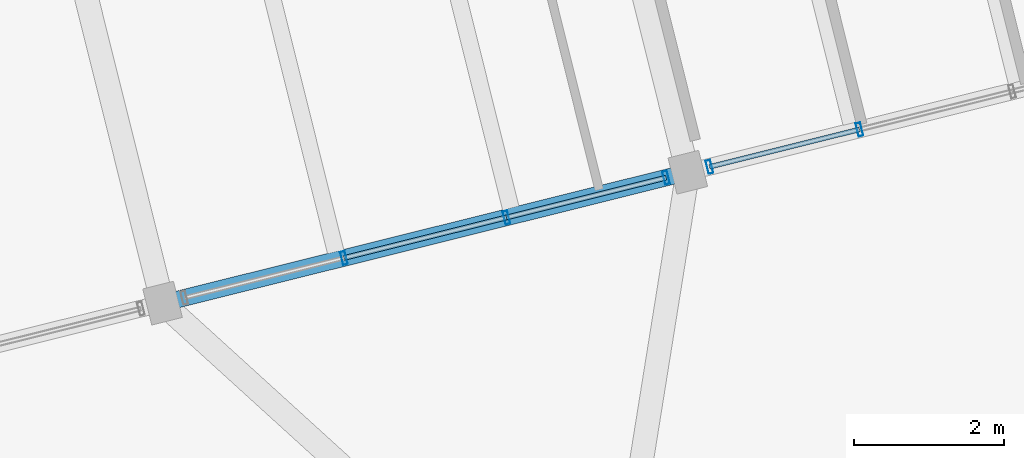
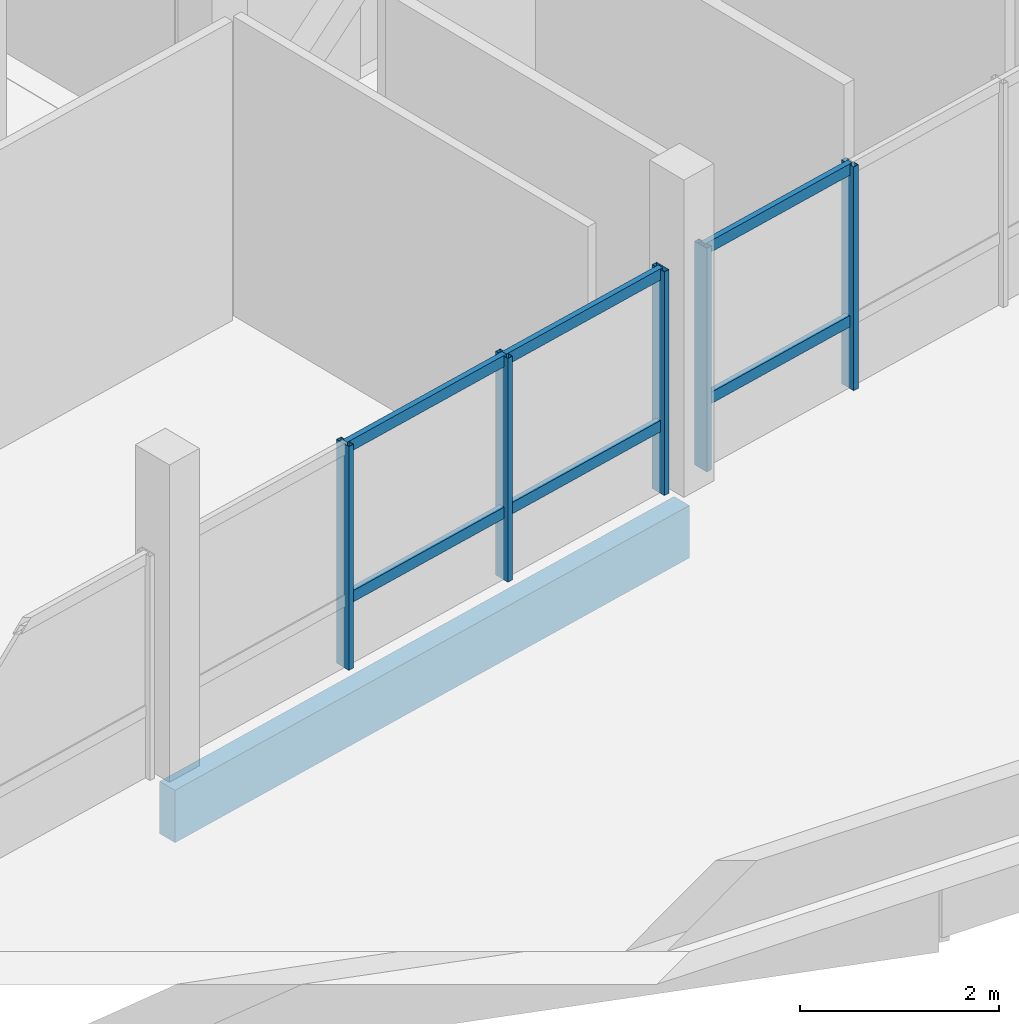
# One storey, part 12 of 37: 11 members, 1 beam, 2 elements without a shape of their own.
"""IFC4 building model written with IfcOpenShell, lengths in metres."""

from ifc_helpers import new_model, si_unit, direction, frame, origin, origin_2d, place, context, subcontext, project, spatial, rectangle, hollow_rectangle, extrude, material, layer, layer_set, material_profile, profile_set, type_object, element, aggregate, save


model = new_model("IFC4")

# Units and contexts
model_context = context("Model", 3, precision=1e-05, world=origin(), true_north=direction((0.0, 1.0)))
body_context = subcontext(model_context, "Body", "Model", "MODEL_VIEW")
ifc_project = project(units=[si_unit("LENGTHUNIT", "METRE"), si_unit("AREAUNIT", "SQUARE_METRE"), si_unit("VOLUMEUNIT", "CUBIC_METRE"), si_unit("PLANEANGLEUNIT", "RADIAN"), si_unit("MASSUNIT", "GRAM", prefix="KILO")], contexts=[model_context])

# Site, building, storey
site_placement = place(None, origin())
site = spatial("IfcSite", under=ifc_project, at=site_placement, CompositionType="ELEMENT")
building_placement = place(site_placement, origin())
building = spatial("IfcBuilding", under=site, at=building_placement, Name="Meriwether Solvik Hall", CompositionType="ELEMENT")
storey_placement = place(building_placement, frame((0.0, 0.0, 26.10009765625)))
storey = spatial("IfcBuildingStorey", under=building, at=storey_placement, Name="L06", CompositionType="ELEMENT", Elevation=26.10009765625)

# Beam
ifc_material_1 = material(Name="Glulam Douglas-Fir 24F-V8 GL28h", Category="wood")
ifc_material_profile_1 = material_profile(ifc_material_1, rectangle(XDim=0.221923828125, YDim=0.64501953125, at=origin_2d()), Name="GLB-222X645")
ifc_profile_set_1 = profile_set([ifc_material_profile_1], Name="Glulam Douglas-Fir 24F-V8 GL28h")
beam_type = type_object("IfcBeamType", Name="BM-GL-222X645", PredefinedType="SPANDREL", material=ifc_profile_set_1)
beam_placement = place(storey_placement, frame((89.946533203125, 46.522216796875, -0.592529296875), z_axis=(0.970291911955, 0.241937193493, 0.0), x_axis=(-0.241937193493, 0.970291911955, 0.0)))
element("IfcBeam", 1, at=beam_placement, inside=storey, type_object=beam_type, Name="Tower Girder TA:T4-T5 (L06)", PredefinedType="SPANDREL", context=body_context, shape_type="SweptSolid", body=[
    extrude(rectangle(XDim=0.221923828125, YDim=0.64501953125, at=origin_2d()), origin(), (0.0, 0.0, 1.0), 7.199951171875),
])

# Curtain wall, members
ifc_material_2 = material(Name="Thermally Broken Anodised Aluminium 6063-T6 and Low-E Glass", Category="aluminium")
ifc_layer_1 = layer(ifc_material_2, 0.179931640625)
ifc_layer_set_1 = layer_set([ifc_layer_1], Name="Thermally Broken Anodised Aluminium 6063-T6 and Low-E Glass")
curtain_wall_type_1 = type_object("IfcCurtainWallType", Name="CW-UNIT-G", PredefinedType="USERDEFINED", material=ifc_layer_set_1)
curtain_wall_1_placement = place(storey_placement, origin())
curtain_wall_1 = element("IfcCurtainWall", 2, at=curtain_wall_1_placement, inside=storey, type_object=curtain_wall_type_1, Name="Curtain Wall E0_B3 (L06)", ObjectType="UNITISED CURTAIN WALL", PredefinedType="USERDEFINED")
ifc_material_3 = material(Name="Anodised Aluminium 6063-T6", Category="aluminium")
ifc_material_profile_2 = material_profile(ifc_material_3, hollow_rectangle(XDim=0.06494140625, YDim=0.179931640625, WallThickness=0.00439453125, at=origin_2d()), Name="CWM-65X180")
ifc_profile_set_2 = profile_set([ifc_material_profile_2], Name="Anodised Aluminium 6063-T6")
member_type_1 = type_object("IfcMemberType", Name="CW-MUL-65X180", PredefinedType="MULLION", material=ifc_profile_set_2)
member_1_placement = place(storey_placement, frame((96.64404296875, 48.192138671875, 0.0), z_axis=(0.0, 0.0, 1.0), x_axis=(-0.970295691079, -0.241922036769, 0.0)))
member_1 = element("IfcMember", 3, at=member_1_placement, type_object=member_type_1, Name="Curtain Wall Mullion 1", PredefinedType="MULLION", context=body_context, shape_type="SweptSolid", body=[
    extrude(hollow_rectangle(XDim=0.06494140625, YDim=0.179931640625, WallThickness=0.00439453125, at=origin_2d()), origin(), (0.0, 0.0, 1.0), 2.75),
])
member_2_placement = place(storey_placement, frame((94.52001953125, 47.66259765625, 0.0), z_axis=(0.0, 0.0, 1.0), x_axis=(-0.970295691079, -0.241922036769, 0.0)))
member_2 = element("IfcMember", 4, at=member_2_placement, type_object=member_type_1, Name="Curtain Wall Mullion 2", PredefinedType="MULLION", context=body_context, shape_type="SweptSolid", body=[
    extrude(hollow_rectangle(XDim=0.06494140625, YDim=0.179931640625, WallThickness=0.00439453125, at=origin_2d()), origin(), (0.0, 0.0, 1.0), 2.75),
])
member_3_placement = place(storey_placement, frame((92.359130859375, 47.123779296875, 0.0), z_axis=(0.0, 0.0, 1.0), x_axis=(-0.970295691079, -0.241922036769, 0.0)))
member_3 = element("IfcMember", 5, at=member_3_placement, type_object=member_type_1, Name="Curtain Wall Mullion 3", PredefinedType="MULLION", context=body_context, shape_type="SweptSolid", body=[
    extrude(hollow_rectangle(XDim=0.06494140625, YDim=0.179931640625, WallThickness=0.00439453125, at=origin_2d()), origin(), (0.0, 0.0, 1.0), 2.75),
])

ifc_material_4 = material(Name="Thermally Broken Anodised Aluminium 6063-T6 and Low-E Glass", Category="aluminium")
ifc_layer_2 = layer(ifc_material_4, 0.179931640625)
ifc_layer_set_2 = layer_set([ifc_layer_2], Name="Thermally Broken Anodised Aluminium 6063-T6 and Low-E Glass")
curtain_wall_type_2 = type_object("IfcCurtainWallType", Name="CW-UNIT-A", PredefinedType="USERDEFINED", material=ifc_layer_set_2)
curtain_wall_2_placement = place(storey_placement, origin())
curtain_wall_2 = element("IfcCurtainWall", 6, at=curtain_wall_2_placement, inside=storey, type_object=curtain_wall_type_2, Name="Curtain Wall E0_B4 (L06)", ObjectType="UNITISED CURTAIN WALL", PredefinedType="USERDEFINED")
member_4_placement = place(storey_placement, frame((99.2158203125, 48.83349609375, 0.0), z_axis=(0.0, 0.0, 1.0), x_axis=(-0.970295700579, -0.241921998665, 0.0)))
member_4 = element("IfcMember", 7, at=member_4_placement, type_object=member_type_1, Name="Curtain Wall Mullion 3", PredefinedType="MULLION", context=body_context, shape_type="SweptSolid", body=[
    extrude(hollow_rectangle(XDim=0.06494140625, YDim=0.179931640625, WallThickness=0.00439453125, at=origin_2d()), origin(), (0.0, 0.0, 1.0), 2.75),
])
member_5_placement = place(storey_placement, frame((97.22119140625, 48.336181640625, 0.0), z_axis=(0.0, 0.0, 1.0), x_axis=(-0.970295700579, -0.241921998665, 0.0)))
member_5 = element("IfcMember", 8, at=member_5_placement, type_object=member_type_1, Name="Curtain Wall Mullion 4", PredefinedType="MULLION", context=body_context, shape_type="SweptSolid", body=[
    extrude(hollow_rectangle(XDim=0.06494140625, YDim=0.179931640625, WallThickness=0.00439453125, at=origin_2d()), origin(), (0.0, 0.0, 1.0), 2.75),
])

# Member
ifc_material_5 = material(Name="Anodised Aluminium 6063-T6", Category="aluminium")
ifc_material_profile_3 = material_profile(ifc_material_5, hollow_rectangle(XDim=0.06494140625, YDim=0.139892578125, WallThickness=0.00439453125, at=origin_2d()), Name="CWT-65X140")
ifc_profile_set_3 = profile_set([ifc_material_profile_3], Name="Anodised Aluminium 6063-T6")
member_type_2 = type_object("IfcMemberType", Name="CW-TRN-65X140", PredefinedType="USERDEFINED", material=ifc_profile_set_3)
member_6_placement = place(storey_placement, frame((96.64404296875, 48.192138671875, 0.824951171875), z_axis=(-0.970299748003, -0.241905764761, 0.0), x_axis=(0.241905764761, -0.970299748003, 0.0)))
member_6 = element("IfcMember", 9, at=member_6_placement, type_object=member_type_2, Name="Curtain Wall Transom 1-sill", ObjectType="TRANSOM", PredefinedType="USERDEFINED", context=body_context, shape_type="SweptSolid", body=[
    extrude(hollow_rectangle(XDim=0.06494140625, YDim=0.139892578125, WallThickness=0.00439453125, at=origin_2d()), origin(), (0.0, 0.0, 1.0), 2.18896484375),
])

member_7_placement = place(storey_placement, frame((96.64404296875, 48.192138671875, 2.68994140625), z_axis=(-0.970299748003, -0.241905764761, 0.0), x_axis=(0.241905764761, -0.970299748003, 0.0)))
member_7 = element("IfcMember", 10, at=member_7_placement, type_object=member_type_2, Name="Curtain Wall Transom 1-head", ObjectType="TRANSOM", PredefinedType="USERDEFINED", context=body_context, shape_type="SweptSolid", body=[
    extrude(hollow_rectangle(XDim=0.06494140625, YDim=0.139892578125, WallThickness=0.00439453125, at=origin_2d()), origin(), (0.0, 0.0, 1.0), 2.18896484375),
])

member_8_placement = place(storey_placement, frame((94.52001953125, 47.66259765625, 0.824951171875), z_axis=(-0.970290634888, -0.241942315128, 0.0), x_axis=(0.241942315128, -0.970290634888, 0.0)))
member_8 = element("IfcMember", 11, at=member_8_placement, type_object=member_type_2, Name="Curtain Wall Transom 2-sill", ObjectType="TRANSOM", PredefinedType="USERDEFINED", context=body_context, shape_type="SweptSolid", body=[
    extrude(hollow_rectangle(XDim=0.06494140625, YDim=0.139892578125, WallThickness=0.00439453125, at=origin_2d()), origin(), (0.0, 0.0, 1.0), 2.22705078125),
])

member_9_placement = place(storey_placement, frame((94.52001953125, 47.66259765625, 2.68994140625), z_axis=(-0.970290634888, -0.241942315128, 0.0), x_axis=(0.241942315128, -0.970290634888, 0.0)))
member_9 = element("IfcMember", 12, at=member_9_placement, type_object=member_type_2, Name="Curtain Wall Transom 2-head", ObjectType="TRANSOM", PredefinedType="USERDEFINED", context=body_context, shape_type="SweptSolid", body=[
    extrude(hollow_rectangle(XDim=0.06494140625, YDim=0.139892578125, WallThickness=0.00439453125, at=origin_2d()), origin(), (0.0, 0.0, 1.0), 2.22705078125),
])

aggregate(curtain_wall_1, [member_1, member_2, member_3, member_6, member_7, member_8, member_9])

member_10_placement = place(storey_placement, frame((99.2158203125, 48.83349609375, 0.824951171875), z_axis=(-0.970295999012, -0.241920801712, 0.0), x_axis=(0.241920801712, -0.970295999012, 0.0)))
member_10 = element("IfcMember", 13, at=member_10_placement, type_object=member_type_2, Name="Curtain Wall Transom 3-sill", ObjectType="TRANSOM", PredefinedType="USERDEFINED", context=body_context, shape_type="SweptSolid", body=[
    extrude(hollow_rectangle(XDim=0.06494140625, YDim=0.139892578125, WallThickness=0.00439453125, at=origin_2d()), origin(), (0.0, 0.0, 1.0), 2.0556640625),
])

member_11_placement = place(storey_placement, frame((99.2158203125, 48.83349609375, 2.68994140625), z_axis=(-0.970295999012, -0.241920801712, 0.0), x_axis=(0.241920801712, -0.970295999012, 0.0)))
member_11 = element("IfcMember", 14, at=member_11_placement, type_object=member_type_2, Name="Curtain Wall Transom 3-head", ObjectType="TRANSOM", PredefinedType="USERDEFINED", context=body_context, shape_type="SweptSolid", body=[
    extrude(hollow_rectangle(XDim=0.06494140625, YDim=0.139892578125, WallThickness=0.00439453125, at=origin_2d()), origin(), (0.0, 0.0, 1.0), 2.0556640625),
])

aggregate(curtain_wall_2, [member_4, member_5, member_10, member_11])

save(model, "model.ifc")
